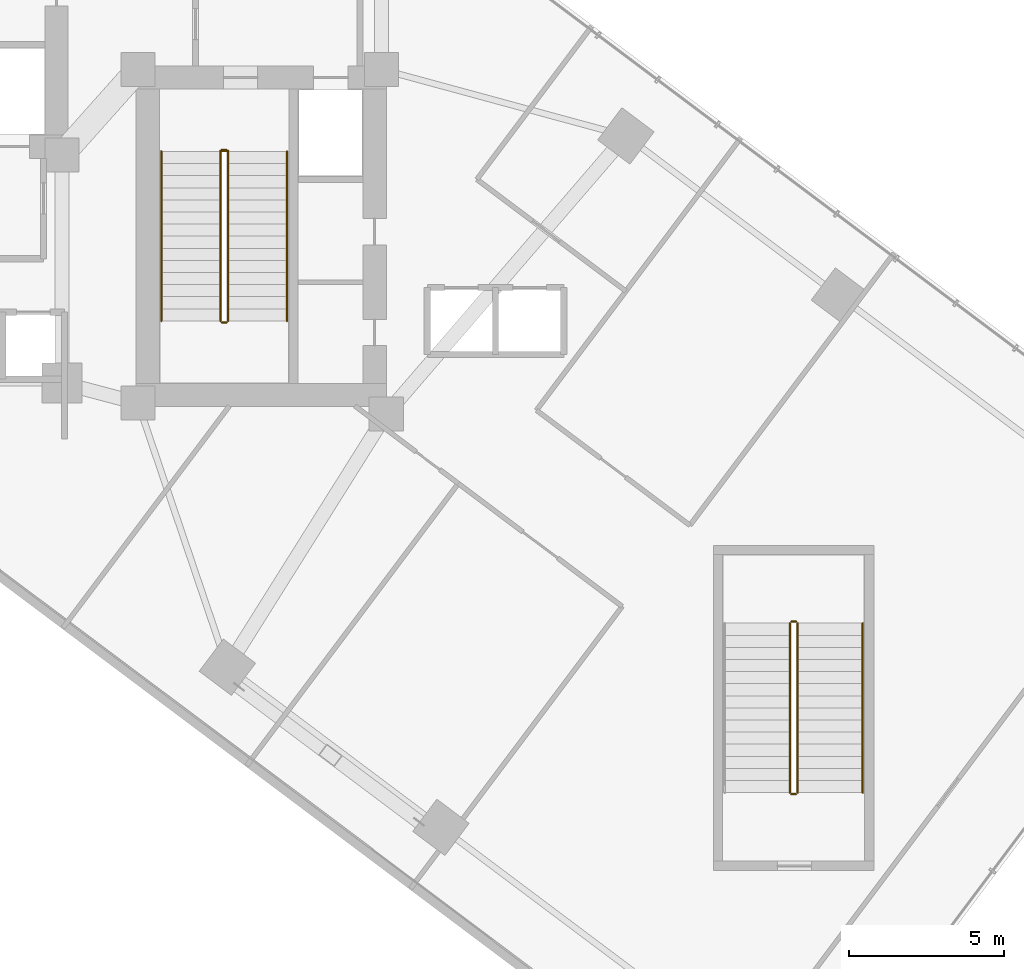
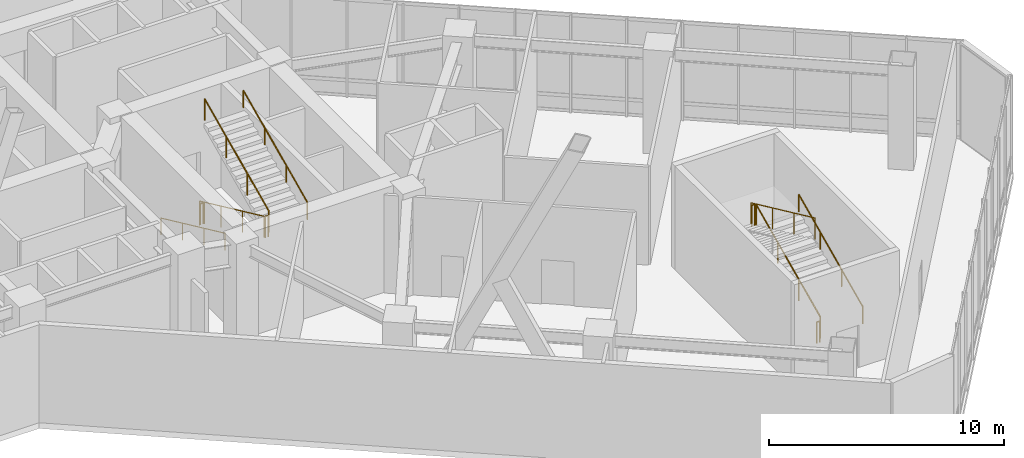
# One storey, part 33 of 35: 12 railings.
"""IFC4 building model written with IfcOpenShell, lengths in metres."""

import ifcopenshell
import ifcopenshell.guid

model = None  # the IFC model being written
_history = None  # IfcOwnerHistory: only IFC2X3 demands one
_inside = {}  # id of a spatial element -> (the spatial element, [elements in it])
_under = {}  # id of a project, library or spatial element -> (it, [spatial elements below it])
_declared = {}  # id of a project -> (the project, [libraries it declares])
_typed = {}  # id of a type object -> (the type object, [elements of that type])
_made_of = {}  # id of a material, layer set ... -> (it, [elements and type objects made of it])


def new_model(schema):
    """Start an empty IFC model of exactly this schema.

    Asked for "IFC4X3", IfcOpenShell would pick the latest addendum, in which some entities
    have other attributes; the version numbers below select the first issue.
    IFC2X3 requires an IfcOwnerHistory on every rooted entity: one is made here for all.
    """
    global model, _history
    if schema == "IFC4X3":
        model = ifcopenshell.file(schema_version=(4, 3, 0, 0))
    else:
        model = ifcopenshell.file(schema=schema)
    _inside.clear()
    _under.clear()
    _declared.clear()
    _typed.clear()
    _made_of.clear()
    _history = None
    if model.schema == "IFC2X3":
        org = make("IfcOrganization", Name="unknown")
        user = make(
            "IfcPersonAndOrganization",
            ThePerson=make("IfcPerson", FamilyName="unknown"),
            TheOrganization=org,
        )
        app = make(
            "IfcApplication",
            ApplicationDeveloper=org,
            Version="unknown",
            ApplicationFullName="unknown",
            ApplicationIdentifier="unknown",
        )
        _history = make(
            "IfcOwnerHistory",
            OwningUser=user,
            OwningApplication=app,
            ChangeAction="ADDED",
            CreationDate=0,
        )
    return model


def make(cls, **values):
    """One entity of the class cls with the attributes given. An attribute that is None is left unset."""
    return model.create_entity(
        cls, **{name: value for name, value in values.items() if value is not None}
    )


def rooted(cls, **values):
    """An entity with a GlobalId (a new one), such as an element, a storey or a relation."""
    return make(cls, GlobalId=ifcopenshell.guid.new(), OwnerHistory=_history, **values)


def si_unit(unit_type, name, prefix=None):
    """IfcSIUnit, for example si_unit("LENGTHUNIT", "METRE", prefix="MILLI")."""
    return make("IfcSIUnit", UnitType=unit_type, Prefix=prefix, Name=name)


def assignment(units):
    """IfcUnitAssignment: the units of a project."""
    return None if units is None else make("IfcUnitAssignment", Units=units)


def point(xyz):
    """IfcCartesianPoint."""
    return None if xyz is None else make("IfcCartesianPoint", Coordinates=xyz)


def direction(xyz):
    """IfcDirection."""
    return None if xyz is None else make("IfcDirection", DirectionRatios=xyz)


def frame(location, z_axis=None, x_axis=None):
    """IfcAxis2Placement3D, a coordinate frame: its origin and axes. An axis left out is left unset."""
    return make(
        "IfcAxis2Placement3D",
        Location=point(location),
        Axis=direction(z_axis),
        RefDirection=direction(x_axis),
    )


def frame_2d(location, x_axis=None):
    """IfcAxis2Placement2D, a coordinate frame in the plane: its origin and x axis."""
    return make(
        "IfcAxis2Placement2D", Location=point(location), RefDirection=direction(x_axis)
    )


def origin():
    """The frame at (0, 0, 0) with its axes left unset."""
    return frame((0.0, 0.0, 0.0))


def origin_2d():
    """The frame at (0, 0) in the plane with its x axis left unset."""
    return frame_2d((0.0, 0.0))


def place(relative_to, where):
    """IfcLocalPlacement: puts the frame where relative to a parent placement (None: the world)."""
    return make(
        "IfcLocalPlacement", PlacementRelTo=relative_to, RelativePlacement=where
    )


def context(
    kind, dimensions, precision=None, world=None, true_north=None, identifier=None
):
    """IfcGeometricRepresentationContext, for example the 3D "Model" context."""
    return make(
        "IfcGeometricRepresentationContext",
        ContextIdentifier=identifier,
        ContextType=kind,
        CoordinateSpaceDimension=dimensions,
        Precision=precision,
        WorldCoordinateSystem=world,
        TrueNorth=true_north,
    )


def subcontext(parent, identifier, kind, view, scale=None):
    """IfcGeometricRepresentationSubContext, for example "Body" below "Model"."""
    return make(
        "IfcGeometricRepresentationSubContext",
        ContextIdentifier=identifier,
        ContextType=kind,
        ParentContext=parent,
        TargetScale=scale,
        TargetView=view,
    )


def project(units=None, contexts=None):
    """IfcProject with its units and contexts."""
    return rooted(
        "IfcProject",
        Name="project",
        RepresentationContexts=contexts,
        UnitsInContext=assignment(units),
    )


def spatial(cls, under=None, at=None, **own):
    """A site, building, storey or space (cls), placed at a placement, below another one or the project."""
    s = rooted(cls, ObjectPlacement=at, **own)
    if under is not None:
        _under.setdefault(under.id(), (under, []))[1].append(s)
    return s


def profile(cls, at=None, kind="AREA", **sizes):
    """A parametric profile (cls). Its sizes go by their IFC names, for example OverallWidth=200.0."""
    return make(cls, ProfileType=kind, Position=at, **sizes)


def circle(**sizes):
    """IfcCircleProfileDef."""
    return profile("IfcCircleProfileDef", **sizes)


def extrude(swept, where, along, depth):
    """IfcExtrudedAreaSolid: the profile swept, set in the frame where, extruded along a direction by depth."""
    return make(
        "IfcExtrudedAreaSolid",
        SweptArea=swept,
        Position=where,
        ExtrudedDirection=direction(along),
        Depth=depth,
    )


def shape(context_of_items, identifier, shape_type, items):
    """IfcShapeRepresentation: the items that make up one representation, for example the "Body"."""
    return make(
        "IfcShapeRepresentation",
        ContextOfItems=context_of_items,
        RepresentationIdentifier=identifier,
        RepresentationType=shape_type,
        Items=items,
    )


def material(Name=None, Category=None):
    """IfcMaterial."""
    return make("IfcMaterial", Name=Name, Category=Category)


def layer(
    of_material, thickness, ventilated=None, Name=None, Category=None, Priority=None
):
    """IfcMaterialLayer: one layer of a wall or slab, of a material (None: an air gap)."""
    return make(
        "IfcMaterialLayer",
        Material=of_material,
        LayerThickness=thickness,
        IsVentilated=ventilated,
        Name=Name,
        Category=Category,
        Priority=Priority,
    )


def layer_set(layers, Name=None):
    """IfcMaterialLayerSet."""
    return make("IfcMaterialLayerSet", MaterialLayers=layers, LayerSetName=Name)


def made_of(thing, what):
    """Note that an element or type object is made of a material, layer set ...; save() writes the relation."""
    if what is not None:
        _made_of.setdefault(what.id(), (what, []))[1].append(thing)
    return thing


def type_object(cls, material=None, **own):
    """A type object (cls), such as IfcWallType, which elements share."""
    return made_of(rooted(cls, **own), material)


def element(
    cls,
    number,
    at=None,
    inside=None,
    cuts=None,
    type_object=None,
    material=None,
    context=None,
    identifier="Body",
    shape_type=None,
    held_by="IfcProductDefinitionShape",
    body=None,
    shapes=None,
    **own,
):
    """One element of the class cls, such as IfcWall. Its Tag is "e" and its number.

    at: its placement. inside: the storey or other place that contains it. cuts: it is an
    opening in that element (IfcRelVoidsElement). A single representation is given by context,
    identifier, shape_type and body (its items); several are given by shapes. held_by: the class
    of the entity that holds the representations. save() writes the other relations.
    """
    e = rooted(cls, Tag="e%d" % number, ObjectPlacement=at, **own)
    if body is not None:
        shapes = [shape(context, identifier, shape_type, body)]
    if shapes is not None:
        e.Representation = make(held_by, Representations=shapes)
    if inside is not None:
        _inside.setdefault(inside.id(), (inside, []))[1].append(e)
    if cuts is not None:
        rooted(
            "IfcRelVoidsElement", RelatingBuildingElement=cuts, RelatedOpeningElement=e
        )
    if type_object is not None:
        _typed.setdefault(type_object.id(), (type_object, []))[1].append(e)
    return made_of(e, material)


def aggregate(whole, parts):
    """IfcRelAggregates: a whole, such as a stair, and the parts it consists of."""
    return rooted("IfcRelAggregates", RelatingObject=whole, RelatedObjects=parts)


def save(model, path):
    """Write the relations noted so far, then the file.

    IfcRelAggregates (storeys below a building ...), IfcRelContainedInSpatialStructure (elements
    in a storey), IfcRelDefinesByType, IfcRelAssociatesMaterial and IfcRelDeclares: one each for
    every whole, place, type object, material and project.
    """
    for whole, parts in _under.values():
        aggregate(whole, parts)
    for where, things in _inside.values():
        rooted(
            "IfcRelContainedInSpatialStructure",
            RelatedElements=things,
            RelatingStructure=where,
        )
    for kind, things in _typed.values():
        rooted("IfcRelDefinesByType", RelatedObjects=things, RelatingType=kind)
    for what, things in _made_of.values():
        rooted("IfcRelAssociatesMaterial", RelatedObjects=things, RelatingMaterial=what)
    for by, libraries in _declared.values():
        rooted("IfcRelDeclares", RelatingContext=by, RelatedDefinitions=libraries)
    model.write(path)


model = new_model("IFC4")

# Units and contexts
model_context = context("Model", 3, precision=1e-05, world=origin(), true_north=direction((0.0, 1.0)))
body_context = subcontext(model_context, "Body", "Model", "MODEL_VIEW")
ifc_project = project(units=[si_unit("LENGTHUNIT", "METRE"), si_unit("AREAUNIT", "SQUARE_METRE"), si_unit("VOLUMEUNIT", "CUBIC_METRE"), si_unit("PLANEANGLEUNIT", "RADIAN"), si_unit("MASSUNIT", "GRAM", prefix="KILO")], contexts=[model_context])

# Site, building, storey
site_placement = place(None, origin())
site = spatial("IfcSite", under=ifc_project, at=site_placement, CompositionType="ELEMENT")
building_placement = place(site_placement, origin())
building = spatial("IfcBuilding", under=site, at=building_placement, Name="Hatsunagi Terrace Concourse", CompositionType="ELEMENT")
storey_placement = place(building_placement, frame((0.0, 0.0, 5.39990234375)))
storey = spatial("IfcBuildingStorey", under=building, at=storey_placement, Name="L02", CompositionType="ELEMENT", Elevation=5.39990234375)

# Railings
ifc_material_1 = material(Name="Stainless steel", Category="steel")
ifc_layer_1 = layer(ifc_material_1, 0.050048828125)
ifc_layer_set_1 = layer_set([ifc_layer_1], Name="StairPitchHandrail_Podium2200")
railing_type_1 = type_object("IfcRailingType", Name="StairPitchHandrail_Podium2200", PredefinedType="HANDRAIL", material=ifc_layer_set_1)
railing_1_placement = place(storey_placement, frame((59.14990234375, 12.0, 0.18017578125)))
element("IfcRailing", 1, at=railing_1_placement, inside=storey, type_object=railing_type_1, Name="L02 ST-P2 stair handrail 1", PredefinedType="HANDRAIL", context=body_context, shape_type="SweptSolid", body=[
    extrude(circle(Radius=0.02392578125, at=origin_2d()), frame((0.0, 0.0, 0.8759765625), z_axis=(0.0, 0.907957007956, 0.419063326602), x_axis=(-1.0, 0.0, 0.0)), (0.0, 0.0, 1.0), 6.013427734375),
    extrude(circle(Radius=0.02099609375, at=origin_2d()), origin(), (0.0, 0.0, 1.0), 0.851806640625),
    extrude(circle(Radius=0.02099609375, at=origin_2d()), frame((0.0, 1.820068359375, 0.840087890625)), (0.0, 0.0, 1.0), 0.851806640625),
    extrude(circle(Radius=0.02099609375, at=origin_2d()), frame((0.0, 3.639892578125, 1.679931640625)), (0.0, 0.0, 1.0), 0.851806640625),
    extrude(circle(Radius=0.02099609375, at=origin_2d()), frame((0.0, 5.4599609375, 2.52001953125)), (0.0, 0.0, 1.0), 0.851806640625),
])
ifc_material_2 = material(Name="Stainless steel", Category="steel")
ifc_layer_2 = layer(ifc_material_2, 0.044921875)
ifc_layer_set_2 = layer_set([ifc_layer_2], Name="StairPitchHandrail_Tower2000")
railing_type_2 = type_object("IfcRailingType", Name="StairPitchHandrail_Tower2000", PredefinedType="HANDRAIL", material=ifc_layer_set_2)
railing_2_placement = place(storey_placement, frame((36.550048828125, 32.659912109375, 0.18017578125)))
element("IfcRailing", 2, at=railing_2_placement, inside=storey, type_object=railing_type_2, Name="L02 ST-B stair handrail 1", PredefinedType="HANDRAIL", context=body_context, shape_type="SweptSolid", body=[
    extrude(circle(Radius=0.02392578125, at=origin_2d()), frame((0.0, 0.0, 0.8759765625), z_axis=(0.0, -0.907957007956, 0.419063326602), x_axis=(1.0, 0.0, 0.0)), (0.0, 0.0, 1.0), 6.013427734375),
    extrude(circle(Radius=0.02099609375, at=origin_2d()), origin(), (0.0, 0.0, 1.0), 0.851806640625),
    extrude(circle(Radius=0.02099609375, at=origin_2d()), frame((0.0, -1.820068359375, 0.840087890625)), (0.0, 0.0, 1.0), 0.851806640625),
    extrude(circle(Radius=0.02099609375, at=origin_2d()), frame((0.0, -3.639892578125, 1.679931640625)), (0.0, 0.0, 1.0), 0.851806640625),
    extrude(circle(Radius=0.02099609375, at=origin_2d()), frame((0.0, -5.4599609375, 2.52001953125)), (0.0, 0.0, 1.0), 0.851806640625),
])
railing_3_placement = place(storey_placement, frame((40.60009765625, 27.199951171875, 2.880126953125)))
element("IfcRailing", 3, at=railing_3_placement, inside=storey, type_object=railing_type_2, Name="L02 ST-B stair handrail 2", PredefinedType="HANDRAIL", context=body_context, shape_type="SweptSolid", body=[
    extrude(circle(Radius=0.02392578125, at=origin_2d()), frame((0.0, 0.0, 0.8759765625), z_axis=(0.0, 0.907957007956, 0.419063326602), x_axis=(-1.0, 0.0, 0.0)), (0.0, 0.0, 1.0), 6.013427734375),
    extrude(circle(Radius=0.02099609375, at=origin_2d()), origin(), (0.0, 0.0, 1.0), 0.851806640625),
    extrude(circle(Radius=0.02099609375, at=origin_2d()), frame((0.0, 1.820068359375, 0.840087890625)), (0.0, 0.0, 1.0), 0.851806640625),
    extrude(circle(Radius=0.02099609375, at=origin_2d()), frame((0.0, 3.639892578125, 1.679931640625)), (0.0, 0.0, 1.0), 0.851806640625),
    extrude(circle(Radius=0.02099609375, at=origin_2d()), frame((0.0, 5.4599609375, 2.52001953125)), (0.0, 0.0, 1.0), 0.851806640625),
])
ifc_material_3 = material(Name="Stainless steel", Category="steel")
ifc_layer_3 = layer(ifc_material_3, 0.06494140625)
ifc_layer_set_3 = layer_set([ifc_layer_3], Name="StairWellGuard_Podium2200")
railing_type_3 = type_object("IfcRailingType", Name="StairWellGuard_Podium2200", PredefinedType="BALUSTRADE", material=ifc_layer_set_3)
railing_4_placement = place(storey_placement, frame((57.050048828125, 12.0, 0.18017578125)))
element("IfcRailing", 4, at=railing_4_placement, inside=storey, type_object=railing_type_3, Name="L02 ST-P2 stair guard 1", PredefinedType="BALUSTRADE", context=body_context, shape_type="SweptSolid", body=[
    extrude(circle(Radius=0.02392578125, at=origin_2d()), frame((0.0, 0.0, 1.09619140625), z_axis=(0.0, 0.907957007956, 0.419063326602), x_axis=(-1.0, 0.0, 0.0)), (0.0, 0.0, 1.0), 6.013427734375),
    extrude(circle(Radius=0.02099609375, at=origin_2d()), origin(), (0.0, 0.0, 1.0), 1.072021484375),
    extrude(circle(Radius=0.02099609375, at=origin_2d()), frame((0.0, 1.820068359375, 0.840087890625)), (0.0, 0.0, 1.0), 1.072021484375),
    extrude(circle(Radius=0.02099609375, at=origin_2d()), frame((0.0, 3.639892578125, 1.679931640625)), (0.0, 0.0, 1.0), 1.072021484375),
    extrude(circle(Radius=0.02099609375, at=origin_2d()), frame((0.0, 5.4599609375, 2.52001953125)), (0.0, 0.0, 1.0), 1.072021484375),
])
railing_5_placement = place(storey_placement, frame((57.0, 17.510009765625, 2.7001953125)))
element("IfcRailing", 5, at=railing_5_placement, inside=storey, type_object=railing_type_3, Name="L02 ST-P2 stair guard 2", PredefinedType="BALUSTRADE", context=body_context, shape_type="SweptSolid", body=[
    extrude(circle(Radius=0.02392578125, at=origin_2d()), frame((0.0, 0.0, 1.09619140625), z_axis=(-1.0, 0.0, 0.0), x_axis=(0.0, -1.0, 0.0)), (0.0, 0.0, 1.0), 0.14990234375),
    extrude(circle(Radius=0.02099609375, at=origin_2d()), origin(), (0.0, 0.0, 1.0), 1.072021484375),
    extrude(circle(Radius=0.02099609375, at=origin_2d()), frame((-0.14990234375, 0.0, 0.0)), (0.0, 0.0, 1.0), 1.072021484375),
])
railing_6_placement = place(storey_placement, frame((56.800048828125, 17.4599609375, 2.880126953125)))
element("IfcRailing", 6, at=railing_6_placement, inside=storey, type_object=railing_type_3, Name="L02 ST-P2 stair guard 3", PredefinedType="BALUSTRADE", context=body_context, shape_type="SweptSolid", body=[
    extrude(circle(Radius=0.02392578125, at=origin_2d()), frame((0.0, 0.0, 1.09619140625), z_axis=(0.0, -0.907957007956, 0.419063326602), x_axis=(1.0, 0.0, 0.0)), (0.0, 0.0, 1.0), 6.013427734375),
    extrude(circle(Radius=0.02099609375, at=origin_2d()), origin(), (0.0, 0.0, 1.0), 1.072021484375),
    extrude(circle(Radius=0.02099609375, at=origin_2d()), frame((0.0, -1.820068359375, 0.840087890625)), (0.0, 0.0, 1.0), 1.072021484375),
    extrude(circle(Radius=0.02099609375, at=origin_2d()), frame((0.0, -3.639892578125, 1.679931640625)), (0.0, 0.0, 1.0), 1.072021484375),
    extrude(circle(Radius=0.02099609375, at=origin_2d()), frame((0.0, -5.4599609375, 2.52001953125)), (0.0, 0.0, 1.0), 1.072021484375),
])
railing_7_placement = place(storey_placement, frame((57.0, 11.949951171875, 0.0)))
element("IfcRailing", 7, at=railing_7_placement, inside=storey, type_object=railing_type_3, Name="L02 ST-P2 stair guard 4", PredefinedType="BALUSTRADE", context=body_context, shape_type="SweptSolid", body=[
    extrude(circle(Radius=0.02392578125, at=origin_2d()), frame((0.0, 0.0, 1.09619140625), z_axis=(-1.0, 0.0, 0.0), x_axis=(0.0, -1.0, 0.0)), (0.0, 0.0, 1.0), 0.14990234375),
    extrude(circle(Radius=0.02099609375, at=origin_2d()), origin(), (0.0, 0.0, 1.0), 1.072021484375),
    extrude(circle(Radius=0.02099609375, at=origin_2d()), frame((-0.14990234375, 0.0, 0.0)), (0.0, 0.0, 1.0), 1.072021484375),
])
ifc_material_4 = material(Name="Stainless steel", Category="steel")
ifc_layer_4 = layer(ifc_material_4, 0.06005859375)
ifc_layer_set_4 = layer_set([ifc_layer_4], Name="StairWellGuard_Tower2000")
railing_type_4 = type_object("IfcRailingType", Name="StairWellGuard_Tower2000", PredefinedType="BALUSTRADE", material=ifc_layer_set_4)
railing_8_placement = place(storey_placement, frame((38.449951171875, 32.659912109375, 0.18017578125)))
element("IfcRailing", 8, at=railing_8_placement, inside=storey, type_object=railing_type_4, Name="L02 ST-B stair guard 1", PredefinedType="BALUSTRADE", context=body_context, shape_type="SweptSolid", body=[
    extrude(circle(Radius=0.02392578125, at=origin_2d()), frame((0.0, 0.0, 1.09619140625), z_axis=(0.0, -0.907957007956, 0.419063326602), x_axis=(1.0, 0.0, 0.0)), (0.0, 0.0, 1.0), 6.013427734375),
    extrude(circle(Radius=0.02099609375, at=origin_2d()), origin(), (0.0, 0.0, 1.0), 1.072021484375),
    extrude(circle(Radius=0.02099609375, at=origin_2d()), frame((0.0, -1.820068359375, 0.840087890625)), (0.0, 0.0, 1.0), 1.072021484375),
    extrude(circle(Radius=0.02099609375, at=origin_2d()), frame((0.0, -3.639892578125, 1.679931640625)), (0.0, 0.0, 1.0), 1.072021484375),
    extrude(circle(Radius=0.02099609375, at=origin_2d()), frame((0.0, -5.4599609375, 2.52001953125)), (0.0, 0.0, 1.0), 1.072021484375),
])
railing_9_placement = place(storey_placement, frame((38.5, 27.14990234375, 2.7001953125)))
element("IfcRailing", 9, at=railing_9_placement, inside=storey, type_object=railing_type_4, Name="L02 ST-B stair guard 2", PredefinedType="BALUSTRADE", context=body_context, shape_type="SweptSolid", body=[
    extrude(circle(Radius=0.02392578125, at=origin_2d()), frame((0.0, 0.0, 1.09619140625), z_axis=(1.0, 0.0, 0.0), x_axis=(0.0, 1.0, 0.0)), (0.0, 0.0, 1.0), 0.14990234375),
    extrude(circle(Radius=0.02099609375, at=origin_2d()), origin(), (0.0, 0.0, 1.0), 1.072021484375),
    extrude(circle(Radius=0.02099609375, at=origin_2d()), frame((0.14990234375, 0.0, 0.0)), (0.0, 0.0, 1.0), 1.072021484375),
])
railing_10_placement = place(storey_placement, frame((38.699951171875, 27.199951171875, 2.880126953125)))
element("IfcRailing", 10, at=railing_10_placement, inside=storey, type_object=railing_type_4, Name="L02 ST-B stair guard 3", PredefinedType="BALUSTRADE", context=body_context, shape_type="SweptSolid", body=[
    extrude(circle(Radius=0.02392578125, at=origin_2d()), frame((0.0, 0.0, 1.09619140625), z_axis=(0.0, 0.907957007956, 0.419063326602), x_axis=(-1.0, 0.0, 0.0)), (0.0, 0.0, 1.0), 6.013427734375),
    extrude(circle(Radius=0.02099609375, at=origin_2d()), origin(), (0.0, 0.0, 1.0), 1.072021484375),
    extrude(circle(Radius=0.02099609375, at=origin_2d()), frame((0.0, 1.820068359375, 0.840087890625)), (0.0, 0.0, 1.0), 1.072021484375),
    extrude(circle(Radius=0.02099609375, at=origin_2d()), frame((0.0, 3.639892578125, 1.679931640625)), (0.0, 0.0, 1.0), 1.072021484375),
    extrude(circle(Radius=0.02099609375, at=origin_2d()), frame((0.0, 5.4599609375, 2.52001953125)), (0.0, 0.0, 1.0), 1.072021484375),
])
railing_11_placement = place(storey_placement, frame((38.5, 32.7099609375, 0.0)))
element("IfcRailing", 11, at=railing_11_placement, inside=storey, type_object=railing_type_4, Name="L02 ST-B stair guard 4", PredefinedType="BALUSTRADE", context=body_context, shape_type="SweptSolid", body=[
    extrude(circle(Radius=0.02392578125, at=origin_2d()), frame((0.0, 0.0, 1.09619140625), z_axis=(1.0, 0.0, 0.0), x_axis=(0.0, 1.0, 0.0)), (0.0, 0.0, 1.0), 0.14990234375),
    extrude(circle(Radius=0.02099609375, at=origin_2d()), origin(), (0.0, 0.0, 1.0), 1.072021484375),
    extrude(circle(Radius=0.02099609375, at=origin_2d()), frame((0.14990234375, 0.0, 0.0)), (0.0, 0.0, 1.0), 1.072021484375),
])
ifc_material_5 = material(Name="Stainless Steel SUS316 Post-and-Rail Guard", Category="steel")
ifc_layer_5 = layer(ifc_material_5, 0.080078125)
ifc_layer_set_5 = layer_set([ifc_layer_5], Name="TerracePlantedGuardRail_1200")
railing_type_5 = type_object("IfcRailingType", Name="TerracePlantedGuardRail_1200", PredefinedType="GUARDRAIL", material=ifc_layer_set_5)
railing_12_placement = place(storey_placement, frame((38.449951171875, 32.679931640625, 0.0)))
element("IfcRailing", 12, at=railing_12_placement, inside=storey, type_object=railing_type_5, Name="Stair ST-B Well Closure Guard L02", PredefinedType="GUARDRAIL", context=body_context, shape_type="SweptSolid", body=[
    extrude(circle(Radius=0.02392578125, at=origin_2d()), frame((0.0, 0.0, 1.09619140625), z_axis=(1.0, 0.0, 0.0), x_axis=(0.0, 1.0, 0.0)), (0.0, 0.0, 1.0), 0.25),
    extrude(circle(Radius=0.02099609375, at=origin_2d()), origin(), (0.0, 0.0, 1.0), 1.072021484375),
    extrude(circle(Radius=0.02099609375, at=origin_2d()), frame((0.25, 0.0, 0.0)), (0.0, 0.0, 1.0), 1.072021484375),
])

save(model, "model.ifc")
